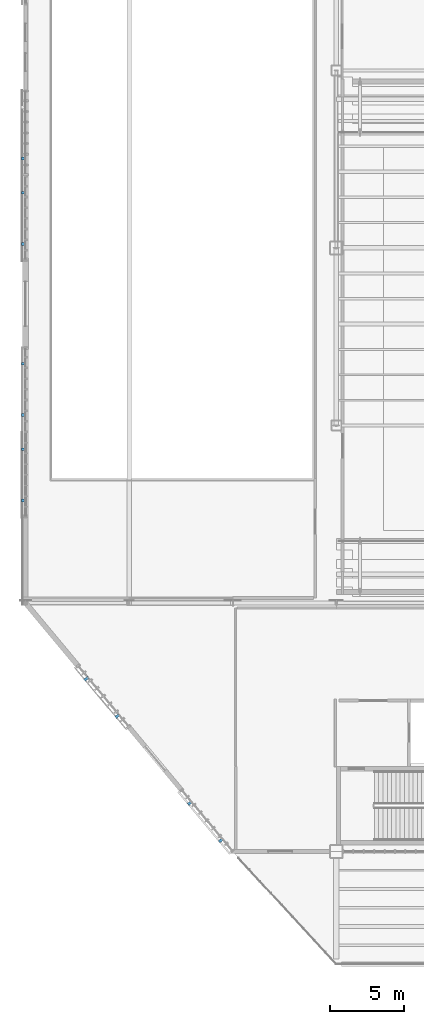
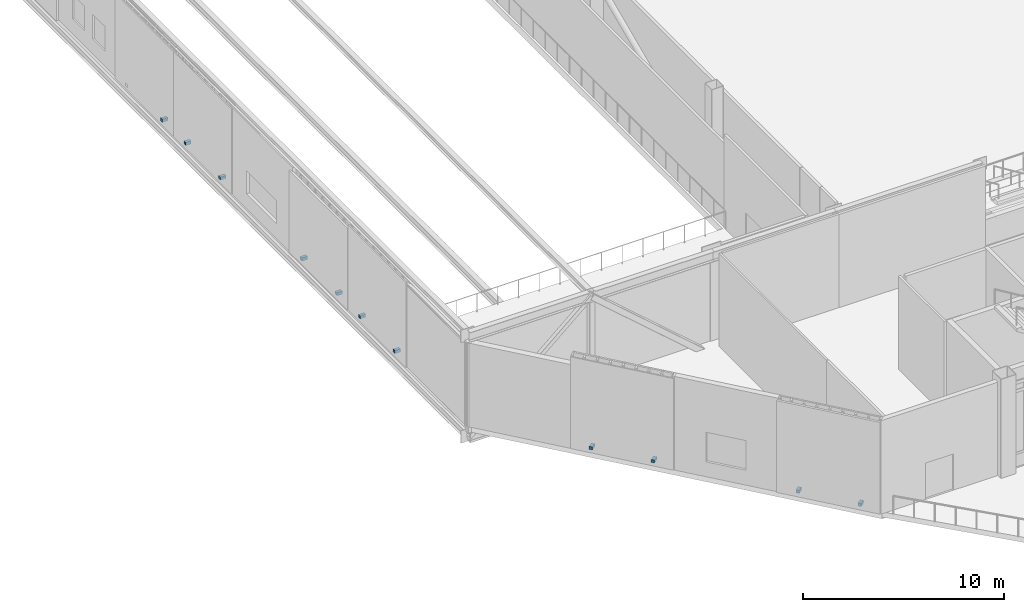
# One storey, part 116 of 135: 11 discrete accessories.
"""IFC4 building model written with IfcOpenShell, lengths in metres."""

from ifc_helpers import new_model, si_unit, direction, frame, origin, origin_2d, place, context, subcontext, project, spatial, rectangle, extrude, material, layer, layer_set, type_object, element, save


model = new_model("IFC4")

# Units and contexts
model_context = context("Model", 3, precision=1e-05, world=origin(), true_north=direction((0.0, 1.0)))
body_context = subcontext(model_context, "Body", "Model", "MODEL_VIEW")
ifc_project = project(units=[si_unit("LENGTHUNIT", "METRE"), si_unit("AREAUNIT", "SQUARE_METRE"), si_unit("VOLUMEUNIT", "CUBIC_METRE"), si_unit("PLANEANGLEUNIT", "RADIAN"), si_unit("MASSUNIT", "GRAM", prefix="KILO")], contexts=[model_context])

# Site, building, storey
site_placement = place(None, origin())
site = spatial("IfcSite", under=ifc_project, at=site_placement, CompositionType="ELEMENT")
building_placement = place(site_placement, origin())
building = spatial("IfcBuilding", under=site, at=building_placement, Name="Larkvane Passage Sports Hall", CompositionType="ELEMENT")
storey_placement = place(building_placement, frame((0.0, 0.0, 10.800048828125)))
storey = spatial("IfcBuildingStorey", under=building, at=storey_placement, Name="L02", CompositionType="ELEMENT", Elevation=10.800048828125)

# Discrete accessories
ifc_material = material(Name="Steel S355JR", Category="steel")
ifc_layer = layer(ifc_material, 0.179931640625)
ifc_layer_set = layer_set([ifc_layer], Name="Steel S355JR")
discrete_accessory_type = type_object("IfcDiscreteAccessoryType", Name="ACC-BRACKET-STL", PredefinedType="BRACKET", material=ifc_layer_set)
for number, where, z_axis, x_axis, name in (
    (1, (27.0078125, 23.563232421875, 0.259765625), (0.0, 0.0, 1.0), (-0.640184399661, 0.7682212796, 0.0), "Veil outrigger bracket L02-060-1"),
    (2, (24.90771484375, 26.083251953125, 0.259765625), (0.0, 0.0, 1.0), (-0.640184399661, 0.7682212796, 0.0), "Veil outrigger bracket L02-060-2"),
    (3, (20.0078125, 31.963134765625, 0.259765625), (0.0, 0.0, 1.0), (-0.640184399661, 0.7682212796, 0.0), "Veil outrigger bracket L02-061-1"),
    (4, (17.90771484375, 34.483154296875, 0.259765625), (0.0, 0.0, 1.0), (-0.640184399661, 0.7682212796, 0.0), "Veil outrigger bracket L02-061-2"),
    (5, (13.679931640625, 46.533447265625, 0.259765625), (0.0, 0.0, 1.0), (0.0, 1.0, 0.0), "Veil outrigger bracket L02-062-1"),
    (6, (13.679931640625, 50.0, 0.259765625), (0.0, 0.0, 1.0), (0.0, 1.0, 0.0), "Veil outrigger bracket L02-062-2"),
    (7, (13.679931640625, 52.31103515625, 0.259765625), (0.0, 0.0, 1.0), (0.0, 1.0, 0.0), "Veil outrigger bracket L02-063-1"),
    (8, (13.679931640625, 55.77783203125, 0.259765625), (0.0, 0.0, 1.0), (0.0, 1.0, 0.0), "Veil outrigger bracket L02-063-2"),
    (9, (13.679931640625, 63.86669921875, 0.259765625), (0.0, 0.0, 1.0), (0.0, 1.0, 0.0), "Veil outrigger bracket L02-064-1"),
    (10, (13.679931640625, 67.333251953125, 0.259765625), (0.0, 0.0, 1.0), (0.0, 1.0, 0.0), "Veil outrigger bracket L02-064-2"),
    (11, (13.679931640625, 69.64453125, 0.259765625), (0.0, 0.0, 1.0), (0.0, 1.0, 0.0), "Veil outrigger bracket L02-065-1"),
):
    element("IfcDiscreteAccessory", number, at=place(storey_placement, frame(where, z_axis=z_axis, x_axis=x_axis)), inside=storey, type_object=discrete_accessory_type, Name=name, PredefinedType="BRACKET", context=body_context, shape_type="SweptSolid", body=[
        extrude(rectangle(XDim=0.179931640625, YDim=0.320068359375, at=origin_2d()), origin(), (0.0, 0.0, 1.0), 0.179931640625),
    ])

save(model, "model.ifc")
